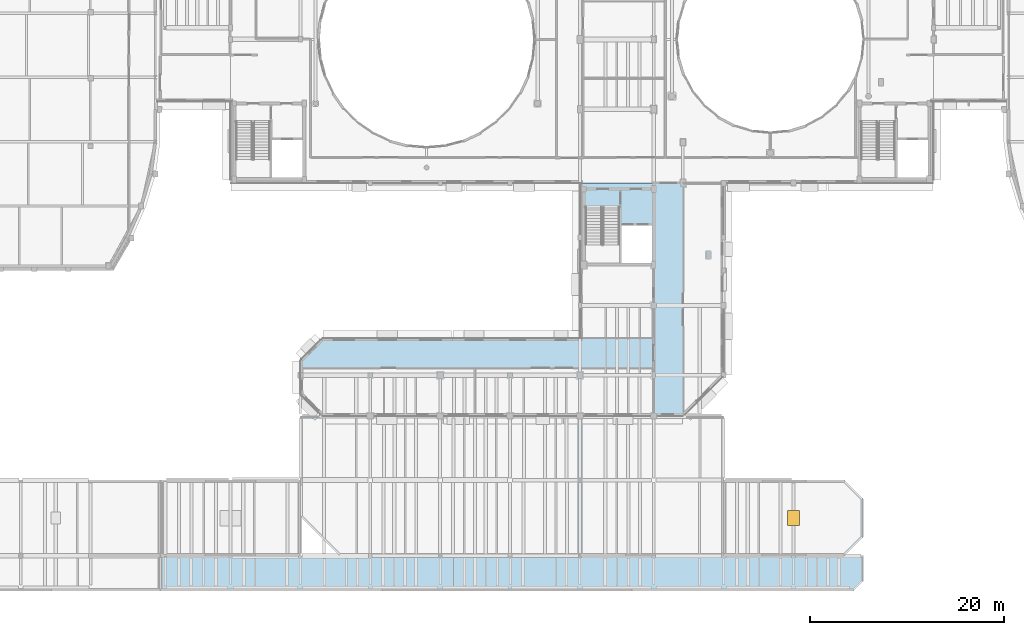
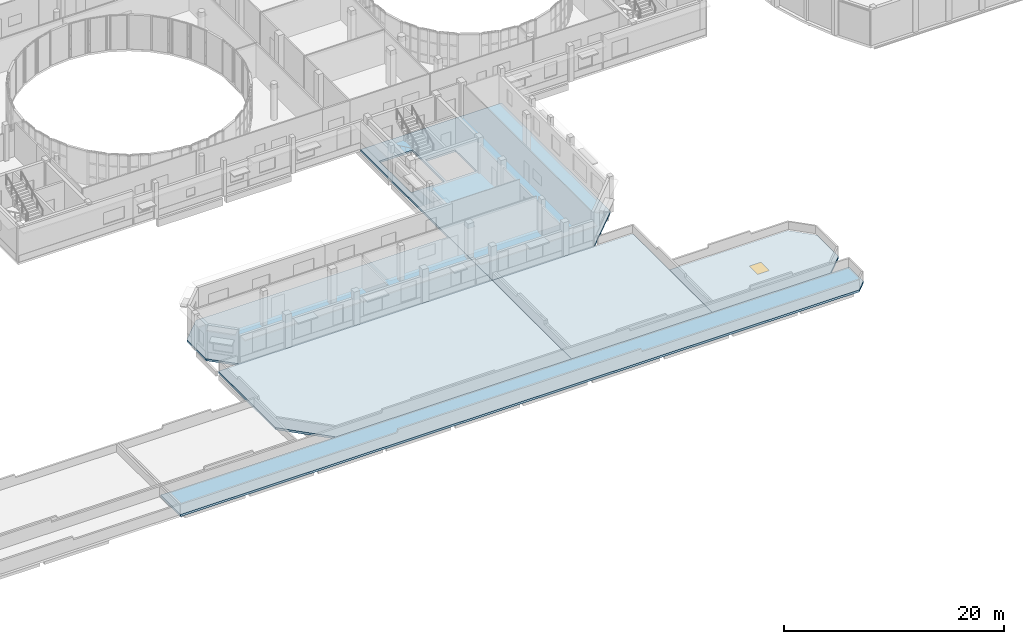
# One storey, part 64 of 105: 6 slabs, 1 window, 1 opening.
"""IFC4 building model written with IfcOpenShell, lengths in metres."""

from ifc_helpers import new_model, si_unit, direction, frame, origin, origin_2d, place, context, subcontext, project, spatial, polyline, rectangle, outline, extrude, material, layer, layer_set, type_object, element, fill, save


model = new_model("IFC4")

# Units and contexts
model_context = context("Model", 3, precision=1e-05, world=origin(), true_north=direction((0.0, 1.0)))
body_context = subcontext(model_context, "Body", "Model", "MODEL_VIEW")
ifc_project = project(units=[si_unit("LENGTHUNIT", "METRE"), si_unit("AREAUNIT", "SQUARE_METRE"), si_unit("VOLUMEUNIT", "CUBIC_METRE"), si_unit("PLANEANGLEUNIT", "RADIAN"), si_unit("MASSUNIT", "GRAM", prefix="KILO")], contexts=[model_context])

# Site, building, storey
site_placement = place(None, origin())
site = spatial("IfcSite", under=ifc_project, at=site_placement, CompositionType="ELEMENT")
building_placement = place(site_placement, origin())
building = spatial("IfcBuilding", under=site, at=building_placement, Name="Kelanivale Promenade Academy", CompositionType="ELEMENT")
storey_placement = place(building_placement, frame((0.0, 0.0, 4.199951171875)))
storey = spatial("IfcBuildingStorey", under=building, at=storey_placement, Name="L01", CompositionType="ELEMENT", Elevation=4.199951171875)

# Slabs
ifc_material_1 = material(Name="Concrete C35/45", Category="concrete")
ifc_layer_1 = layer(ifc_material_1, 0.219970703125)
ifc_layer_set_1 = layer_set([ifc_layer_1], Name="Concrete C35/45")
slab_type_1 = type_object("IfcSlabType", Name="FS-01 Slab 220mm", PredefinedType="FLOOR", material=ifc_layer_set_1)
slab_1_placement = place(storey_placement, frame((0.0, 0.0, -0.219970703125)))
element("IfcSlab", 1, at=slab_1_placement, inside=storey, type_object=slab_type_1, Name="L01 structural slab SLB-L01-V3W", PredefinedType="FLOOR", context=body_context, shape_type="SweptSolid", body=[
    extrude(outline(polyline([(52.639892578125, 18.0), (79.199951171875, 18.0), (79.199951171875, 26.0), (52.639892578125, 26.0), (50.39990234375, 23.760009765625), (50.39990234375, 20.239990234375), (52.639892578125, 18.0)])), origin(), (0.0, 0.0, 1.0), 0.219970703125),
])
slab_2_placement = place(storey_placement, frame((0.0, 0.0, -0.219970703125)))
element("IfcSlab", 2, at=slab_2_placement, inside=storey, type_object=slab_type_1, Name="L01 structural slab SLB-L01-V3L", PredefinedType="FLOOR", context=body_context, shape_type="SweptSolid", body=[
    extrude(outline(polyline([(79.199951171875, 42.0), (79.199951171875, 18.0), (89.85595703125, 18.0), (94.0, 22.14404296875), (94.0, 42.0), (79.199951171875, 42.0)]), holes=[polyline([(86.635009765625, 33.764892578125), (83.485107421875, 33.764892578125), (83.485107421875, 37.625), (86.635009765625, 37.625), (86.635009765625, 33.764892578125)]), polyline([(83.264892578125, 39.544921875), (83.264892578125, 33.764892578125), (79.764892578125, 33.764892578125), (79.764892578125, 39.544921875), (83.264892578125, 39.544921875)])]), origin(), (0.0, 0.0, 1.0), 0.219970703125),
])
ifc_layer_2 = layer(ifc_material_1, 0.239990234375)
ifc_layer_set_2 = layer_set([ifc_layer_2], Name="Concrete C35/45")
slab_type_2 = type_object("IfcSlabType", Name="RS-01 Slab 240mm", PredefinedType="ROOF", material=ifc_layer_set_2)
slab_3_placement = place(storey_placement, frame((0.0, 0.0, -0.239990234375)))
element("IfcSlab", 3, at=slab_3_placement, inside=storey, type_object=slab_type_2, Name="L01 planted roof slab RF-L01-COLE", PredefinedType="ROOF", context=body_context, shape_type="SweptSolid", body=[
    extrude(outline(polyline([(36.0, 3.60009765625), (36.0, 0.0), (107.39208984375, 0.0), (108.39990234375, 1.008056640625), (108.39990234375, 3.60009765625), (36.0, 3.60009765625)])), origin(), (0.0, 0.0, 1.0), 0.239990234375),
])
slab_4_placement = place(storey_placement, frame((0.0, 0.0, -0.239990234375)))
element("IfcSlab", 4, at=slab_4_placement, inside=storey, type_object=slab_type_2, Name="L01 planted roof slab RF-L01-MID", PredefinedType="ROOF", context=body_context, shape_type="SweptSolid", body=[
    extrude(outline(polyline([(50.39990234375, 18.0), (50.39990234375, 7.632080078125), (54.431884765625, 3.60009765625), (79.199951171875, 3.60009765625), (79.199951171875, 18.0), (50.39990234375, 18.0)])), origin(), (0.0, 0.0, 1.0), 0.239990234375),
])
slab_5_placement = place(storey_placement, frame((0.0, 0.0, -0.239990234375)))
element("IfcSlab", 5, at=slab_5_placement, inside=storey, type_object=slab_type_2, Name="L01 planted roof slab RF-L01-LINK", PredefinedType="ROOF", context=body_context, shape_type="SweptSolid", body=[
    extrude(outline(polyline([(94.0, 3.60009765625), (94.0, 18.0), (79.199951171875, 18.0), (79.199951171875, 3.60009765625), (94.0, 3.60009765625)])), origin(), (0.0, 0.0, 1.0), 0.239990234375),
])

# Slab, opening, window
slab_6_placement = place(storey_placement, frame((0.0, 0.0, -0.239990234375)))
slab_6 = element("IfcSlab", 6, at=slab_6_placement, inside=storey, type_object=slab_type_2, Name="L01 planted roof slab RF-L01-CAFE", PredefinedType="ROOF", context=body_context, shape_type="SweptSolid", body=[
    extrude(outline(polyline([(106.446044921875, 3.60009765625), (108.39990234375, 5.553955078125), (108.39990234375, 9.446044921875), (106.446044921875, 11.39990234375), (94.0, 11.39990234375), (94.0, 3.60009765625), (106.446044921875, 3.60009765625)])), origin(), (0.0, 0.0, 1.0), 0.239990234375),
])
opening_placement = place(slab_6_placement, frame((101.199951171875, 7.5, 0.0)))
opening = element("IfcOpeningElement", 7, at=opening_placement, cuts=slab_6, Name="Opening RH-02", PredefinedType="OPENING", context=body_context, shape_type="SweptSolid", body=[
    extrude(rectangle(XDim=1.199951171875, YDim=1.5, at=origin_2d()), frame((0.0, 0.0, -0.010009765625)), (0.0, 0.0, 1.0), 0.260009765625),
])
ifc_material_2 = material(Name="Bronze anodised aluminium frame with low-E laminated glass", Category="aluminium")
window_type = type_object("IfcWindowType", Name="RH-02 Skylight 1200x1500", PartitioningType="SINGLE_PANEL", PredefinedType="SKYLIGHT", material=ifc_material_2)
window_placement = place(opening_placement, frame((0.0, 0.0, 0.18994140625)))
window = element("IfcWindow", 8, at=window_placement, inside=storey, type_object=window_type, Name="Roof maintenance access hatch RH-02", OverallHeight=1.5, OverallWidth=1.199951171875, PartitioningType="SINGLE_PANEL", PredefinedType="SKYLIGHT", context=body_context, shape_type="SweptSolid", body=[
    extrude(rectangle(XDim=1.199951171875, YDim=1.5, at=origin_2d()), origin(), (0.0, 0.0, 1.0), 0.050048828125),
])
fill(opening, window)

save(model, "model.ifc")
